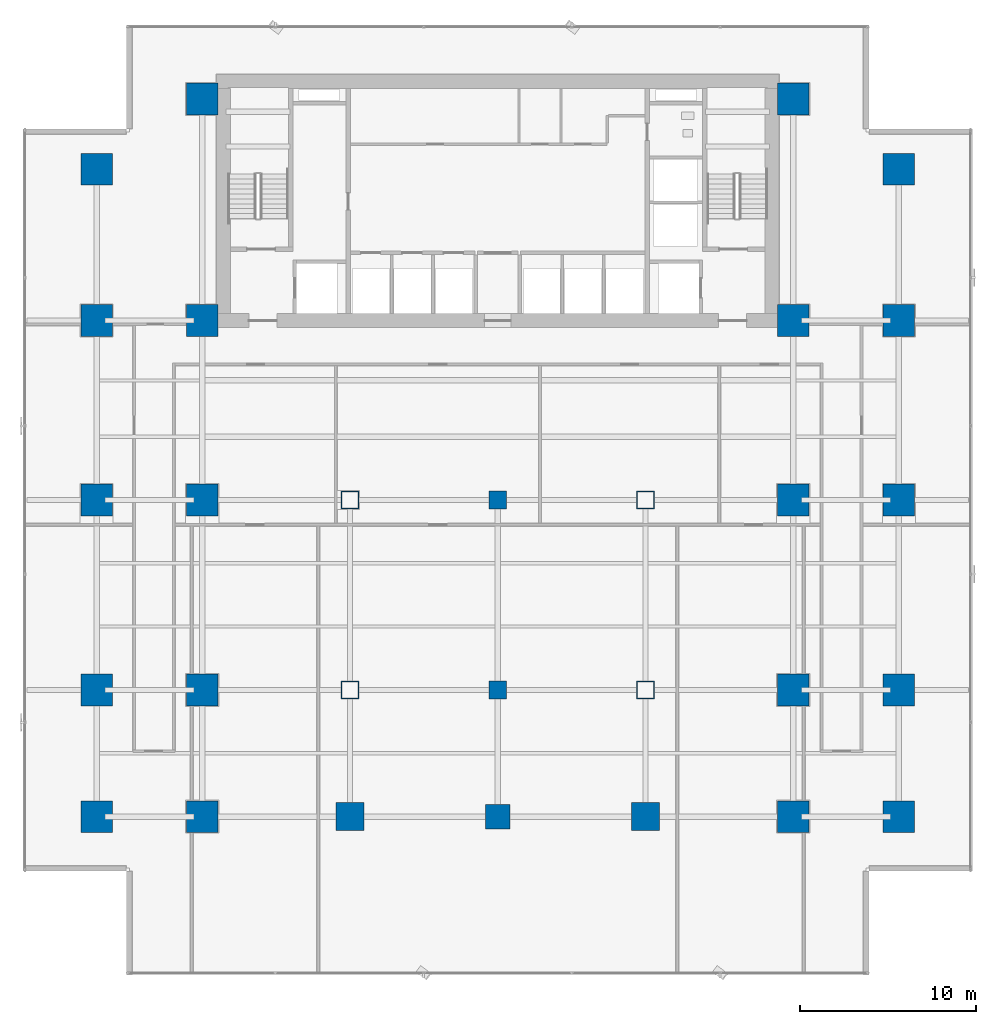
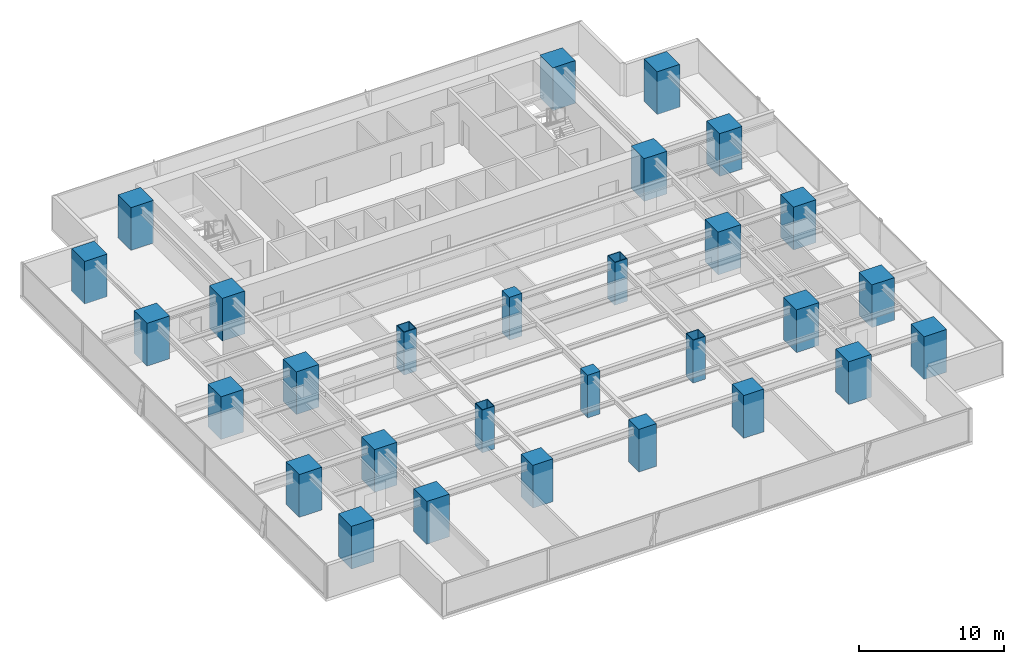
# One storey, part 1 of 32: 29 columns.
"""IFC4 building model written with IfcOpenShell, lengths in metres."""

from ifc_helpers import new_model, si_unit, direction, frame, origin, origin_2d, place, context, subcontext, project, spatial, rectangle, hollow_rectangle, extrude, source, transform, mapped, material, material_profile, profile_set, type_object, element, save


model = new_model("IFC4")

# Units and contexts
model_context = context("Model", 3, precision=1e-05, world=origin(), true_north=direction((0.0, 1.0)))
body_context = subcontext(model_context, "Body", "Model", "MODEL_VIEW")
ifc_project = project(units=[si_unit("LENGTHUNIT", "METRE"), si_unit("AREAUNIT", "SQUARE_METRE"), si_unit("VOLUMEUNIT", "CUBIC_METRE"), si_unit("PLANEANGLEUNIT", "RADIAN"), si_unit("MASSUNIT", "GRAM", prefix="KILO")], contexts=[model_context])

# Site, building, storey
site_placement = place(None, origin())
site = spatial("IfcSite", under=ifc_project, at=site_placement, CompositionType="ELEMENT")
building_placement = place(site_placement, origin())
building = spatial("IfcBuilding", under=site, at=building_placement, Name="Sumidabori Civic Tower", CompositionType="ELEMENT")
storey_placement = place(building_placement, frame((0.0, 0.0, 48.800048828125)))
storey = spatial("IfcBuildingStorey", under=building, at=storey_placement, Name="L12", CompositionType="ELEMENT", Elevation=48.800048828125)

# Columns
ifc_material_1 = material(Name="Concrete C60/75", Category="concrete")
ifc_material_profile_1 = material_profile(ifc_material_1, rectangle(XDim=1.800048828125, YDim=1.800048828125, at=origin_2d()), Name="RC 1800x1800")
ifc_profile_set_1 = profile_set([ifc_material_profile_1], Name="Concrete C60/75")
column_type_1 = type_object("IfcColumnType", Name="CL-MEGA-1800", PredefinedType="COLUMN", material=ifc_profile_set_1)
shared_shape_1 = source(origin(), body_context, "Body", "SweptSolid", [
    extrude(rectangle(XDim=1.800048828125, YDim=1.800048828125, at=origin_2d()), origin(), (0.0, 0.0, 1.0), 3.599853515625),
])
for number, where, z_axis, x_axis, name in (
    (1, (-16.800048828125, -18.0, 0.0), (0.0, 0.0, 1.0), (1.0, 0.0, 0.0), "Column MC-W16-Y18S L12"),
    (2, (-16.800048828125, -10.800048828125, 0.0), (0.0, 0.0, 1.0), (1.0, 0.0, 0.0), "Column MC-W16-Y11S L12"),
    (3, (-16.800048828125, 0.0, 0.0), (0.0, 0.0, 1.0), (1.0, 0.0, 0.0), "Column MC-W16-Y00 L12"),
    (4, (-16.800048828125, 10.199951171875, 0.0), (0.0, 0.0, 1.0), (1.0, 0.0, 0.0), "Column MC-W16-Y10N L12"),
    (5, (-16.800048828125, 22.800048828125, 0.0), (0.0, 0.0, 1.0), (1.0, 0.0, 0.0), "Column MC-W16-Y23N L12"),
    (6, (16.800048828125, -18.0, 0.0), (0.0, 0.0, 1.0), (1.0, 0.0, 0.0), "Column MC-E16-Y18S L12"),
    (7, (16.800048828125, -10.800048828125, 0.0), (0.0, 0.0, 1.0), (1.0, 0.0, 0.0), "Column MC-E16-Y11S L12"),
    (8, (16.800048828125, 0.0, 0.0), (0.0, 0.0, 1.0), (1.0, 0.0, 0.0), "Column MC-E16-Y00 L12"),
    (9, (16.800048828125, 10.199951171875, 0.0), (0.0, 0.0, 1.0), (1.0, 0.0, 0.0), "Column MC-E16-Y10N L12"),
    (10, (16.800048828125, 22.800048828125, 0.0), (0.0, 0.0, 1.0), (1.0, 0.0, 0.0), "Column MC-E16-Y23N L12"),
    (11, (-22.800048828125, -18.0, 0.0), (0.0, 0.0, 1.0), (1.0, 0.0, 0.0), "Column MC-W23-Y18S L12"),
    (12, (-22.800048828125, -10.800048828125, 0.0), (0.0, 0.0, 1.0), (1.0, 0.0, 0.0), "Column MC-W23-Y11S L12"),
    (13, (-22.800048828125, 0.0, 0.0), (0.0, 0.0, 1.0), (1.0, 0.0, 0.0), "Column MC-W23-Y00 L12"),
    (14, (-22.800048828125, 10.199951171875, 0.0), (0.0, 0.0, 1.0), (1.0, 0.0, 0.0), "Column MC-W23-Y10N L12"),
    (15, (-22.800048828125, 18.800048828125, 0.0), (0.0, 0.0, 1.0), (1.0, 0.0, 0.0), "Column MC-W23-Y19N L12"),
    (16, (22.800048828125, -18.0, 0.0), (0.0, 0.0, 1.0), (1.0, 0.0, 0.0), "Column MC-E23-Y18S L12"),
    (17, (22.800048828125, -10.800048828125, 0.0), (0.0, 0.0, 1.0), (1.0, 0.0, 0.0), "Column MC-E23-Y11S L12"),
    (18, (22.800048828125, 0.0, 0.0), (0.0, 0.0, 1.0), (1.0, 0.0, 0.0), "Column MC-E23-Y00 L12"),
    (19, (22.800048828125, 10.199951171875, 0.0), (0.0, 0.0, 1.0), (1.0, 0.0, 0.0), "Column MC-E23-Y10N L12"),
    (20, (22.800048828125, 18.800048828125, 0.0), (0.0, 0.0, 1.0), (1.0, 0.0, 0.0), "Column MC-E23-Y19N L12"),
):
    element("IfcColumn", number, at=place(storey_placement, frame(where, z_axis=z_axis, x_axis=x_axis)), inside=storey, type_object=column_type_1, Name=name, PredefinedType="COLUMN", context=body_context, shape_type="MappedRepresentation", body=[
        mapped(shared_shape_1, transform((0.0, 0.0, 0.0), x_axis=(1.0, 0.0, 0.0), y_axis=(0.0, 1.0, 0.0), z_axis=(0.0, 0.0, 1.0), scale=1.0)),
    ])
ifc_material_profile_2 = material_profile(ifc_material_1, rectangle(XDim=1.60009765625, YDim=1.60009765625, at=origin_2d()), Name="RC 1600x1600")
ifc_profile_set_2 = profile_set([ifc_material_profile_2], Name="Concrete C60/75")
column_type_2 = type_object("IfcColumnType", Name="CL-MEGA-1600", PredefinedType="COLUMN", material=ifc_profile_set_2)
shared_shape_2 = source(origin(), body_context, "Body", "SweptSolid", [
    extrude(rectangle(XDim=1.60009765625, YDim=1.60009765625, at=origin_2d()), origin(), (0.0, 0.0, 1.0), 3.599853515625),
])
for number, where, z_axis, x_axis, name in (
    (21, (-8.39990234375, -18.0, 0.0), (0.0, 0.0, 1.0), (1.0, 0.0, 0.0), "Column MC-W08-Y18S L12"),
    (22, (8.39990234375, -18.0, 0.0), (0.0, 0.0, 1.0), (1.0, 0.0, 0.0), "Column MC-E08-Y18S L12"),
):
    element("IfcColumn", number, at=place(storey_placement, frame(where, z_axis=z_axis, x_axis=x_axis)), inside=storey, type_object=column_type_2, Name=name, PredefinedType="COLUMN", context=body_context, shape_type="MappedRepresentation", body=[
        mapped(shared_shape_2, transform((0.0, 0.0, 0.0), x_axis=(1.0, 0.0, 0.0), y_axis=(0.0, 1.0, 0.0), z_axis=(0.0, 0.0, 1.0), scale=1.0)),
    ])
ifc_material_2 = material(Name="Steel SM570", Category="steel")
ifc_material_profile_3 = material_profile(ifc_material_2, hollow_rectangle(XDim=1.0, YDim=1.0, WallThickness=0.044921875, at=origin_2d()), Name="SHS 1000x1000x45")
ifc_profile_set_3 = profile_set([ifc_material_profile_3], Name="Steel SM570")
column_type_3 = type_object("IfcColumnType", Name="CL-PORTAL-SHS1000", PredefinedType="COLUMN", material=ifc_profile_set_3)
shared_shape_3 = source(origin(), body_context, "Body", "SweptSolid", [
    extrude(hollow_rectangle(XDim=1.0, YDim=1.0, WallThickness=0.044921875, at=origin_2d()), origin(), (0.0, 0.0, 1.0), 3.599853515625),
])
for number, where, z_axis, x_axis, name in (
    (23, (-8.39990234375, 0.0, 0.0), (0.0, 0.0, 1.0), (1.0, 0.0, 0.0), "Column MC-W08-Y00 L12"),
    (24, (-8.39990234375, -10.800048828125, 0.0), (0.0, 0.0, 1.0), (1.0, 0.0, 0.0), "Column MC-W08-Y11S L12"),
    (25, (8.39990234375, 0.0, 0.0), (0.0, 0.0, 1.0), (1.0, 0.0, 0.0), "Column MC-E08-Y00 L12"),
    (26, (8.39990234375, -10.800048828125, 0.0), (0.0, 0.0, 1.0), (1.0, 0.0, 0.0), "Column MC-E08-Y11S L12"),
):
    element("IfcColumn", number, at=place(storey_placement, frame(where, z_axis=z_axis, x_axis=x_axis)), inside=storey, type_object=column_type_3, Name=name, PredefinedType="COLUMN", context=body_context, shape_type="MappedRepresentation", body=[
        mapped(shared_shape_3, transform((0.0, 0.0, 0.0), x_axis=(1.0, 0.0, 0.0), y_axis=(0.0, 1.0, 0.0), z_axis=(0.0, 0.0, 1.0), scale=1.0)),
    ])
ifc_material_profile_4 = material_profile(ifc_material_1, rectangle(XDim=1.39990234375, YDim=1.39990234375, at=origin_2d()), Name="RC 1400x1400")
ifc_profile_set_4 = profile_set([ifc_material_profile_4], Name="Concrete C60/75")
column_type_4 = type_object("IfcColumnType", Name="CL-MEGA-1400", PredefinedType="COLUMN", material=ifc_profile_set_4)
shared_shape_4 = source(origin(), body_context, "Body", "SweptSolid", [
    extrude(rectangle(XDim=1.39990234375, YDim=1.39990234375, at=origin_2d()), origin(), (0.0, 0.0, 1.0), 3.599853515625),
])
column_placement = place(storey_placement, frame((0.0, -18.0, 0.0), z_axis=(0.0, 0.0, 1.0), x_axis=(1.0, 0.0, 0.0)))
element("IfcColumn", 27, at=column_placement, inside=storey, type_object=column_type_4, Name="Column MC-C00-Y18S L12", PredefinedType="COLUMN", context=body_context, shape_type="MappedRepresentation", body=[
    mapped(shared_shape_4, transform((0.0, 0.0, 0.0), x_axis=(1.0, 0.0, 0.0), y_axis=(0.0, 1.0, 0.0), z_axis=(0.0, 0.0, 1.0), scale=1.0)),
])
ifc_material_3 = material(Name="Concrete C50/60", Category="concrete")
ifc_material_profile_5 = material_profile(ifc_material_3, rectangle(XDim=1.0, YDim=1.0, at=origin_2d()), Name="RC 1000x1000")
ifc_profile_set_5 = profile_set([ifc_material_profile_5], Name="Concrete C50/60")
column_type_5 = type_object("IfcColumnType", Name="CL-INT-1000", PredefinedType="COLUMN", material=ifc_profile_set_5)
shared_shape_5 = source(origin(), body_context, "Body", "SweptSolid", [
    extrude(rectangle(XDim=1.0, YDim=1.0, at=origin_2d()), origin(), (0.0, 0.0, 1.0), 3.599853515625),
])
for number, where, z_axis, x_axis, name in (
    (28, (0.0, -10.800048828125, 0.0), (0.0, 0.0, 1.0), (1.0, 0.0, 0.0), "Column MC-C00-Y11S L12"),
    (29, (0.0, 0.0, 0.0), (0.0, 0.0, 1.0), (1.0, 0.0, 0.0), "Column MC-C00-Y00 L12"),
):
    element("IfcColumn", number, at=place(storey_placement, frame(where, z_axis=z_axis, x_axis=x_axis)), inside=storey, type_object=column_type_5, Name=name, PredefinedType="COLUMN", context=body_context, shape_type="MappedRepresentation", body=[
        mapped(shared_shape_5, transform((0.0, 0.0, 0.0), x_axis=(1.0, 0.0, 0.0), y_axis=(0.0, 1.0, 0.0), z_axis=(0.0, 0.0, 1.0), scale=1.0)),
    ])

save(model, "model.ifc")
